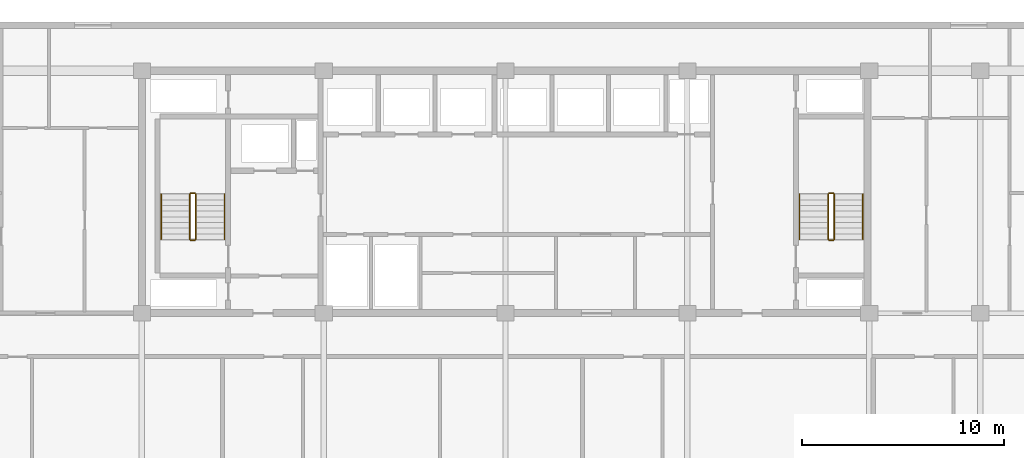
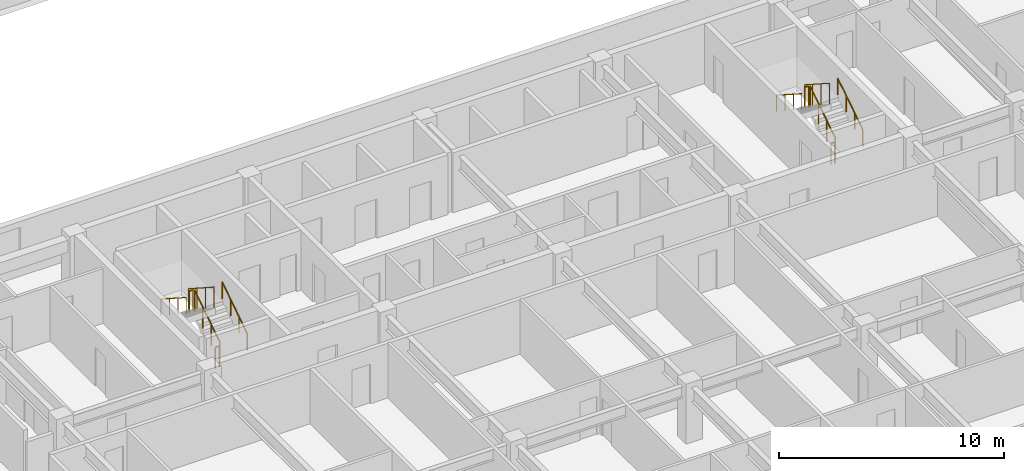
# One storey, part 19 of 22: 12 railings.
"""IFC4 building model written with IfcOpenShell, lengths in metres."""

import ifcopenshell
import ifcopenshell.guid

model = None  # the IFC model being written
_history = None  # IfcOwnerHistory: only IFC2X3 demands one
_inside = {}  # id of a spatial element -> (the spatial element, [elements in it])
_under = {}  # id of a project, library or spatial element -> (it, [spatial elements below it])
_declared = {}  # id of a project -> (the project, [libraries it declares])
_typed = {}  # id of a type object -> (the type object, [elements of that type])
_made_of = {}  # id of a material, layer set ... -> (it, [elements and type objects made of it])


def new_model(schema):
    """Start an empty IFC model of exactly this schema.

    Asked for "IFC4X3", IfcOpenShell would pick the latest addendum, in which some entities
    have other attributes; the version numbers below select the first issue.
    IFC2X3 requires an IfcOwnerHistory on every rooted entity: one is made here for all.
    """
    global model, _history
    if schema == "IFC4X3":
        model = ifcopenshell.file(schema_version=(4, 3, 0, 0))
    else:
        model = ifcopenshell.file(schema=schema)
    _inside.clear()
    _under.clear()
    _declared.clear()
    _typed.clear()
    _made_of.clear()
    _history = None
    if model.schema == "IFC2X3":
        org = make("IfcOrganization", Name="unknown")
        user = make(
            "IfcPersonAndOrganization",
            ThePerson=make("IfcPerson", FamilyName="unknown"),
            TheOrganization=org,
        )
        app = make(
            "IfcApplication",
            ApplicationDeveloper=org,
            Version="unknown",
            ApplicationFullName="unknown",
            ApplicationIdentifier="unknown",
        )
        _history = make(
            "IfcOwnerHistory",
            OwningUser=user,
            OwningApplication=app,
            ChangeAction="ADDED",
            CreationDate=0,
        )
    return model


def make(cls, **values):
    """One entity of the class cls with the attributes given. An attribute that is None is left unset."""
    return model.create_entity(
        cls, **{name: value for name, value in values.items() if value is not None}
    )


def rooted(cls, **values):
    """An entity with a GlobalId (a new one), such as an element, a storey or a relation."""
    return make(cls, GlobalId=ifcopenshell.guid.new(), OwnerHistory=_history, **values)


def si_unit(unit_type, name, prefix=None):
    """IfcSIUnit, for example si_unit("LENGTHUNIT", "METRE", prefix="MILLI")."""
    return make("IfcSIUnit", UnitType=unit_type, Prefix=prefix, Name=name)


def assignment(units):
    """IfcUnitAssignment: the units of a project."""
    return None if units is None else make("IfcUnitAssignment", Units=units)


def point(xyz):
    """IfcCartesianPoint."""
    return None if xyz is None else make("IfcCartesianPoint", Coordinates=xyz)


def direction(xyz):
    """IfcDirection."""
    return None if xyz is None else make("IfcDirection", DirectionRatios=xyz)


def frame(location, z_axis=None, x_axis=None):
    """IfcAxis2Placement3D, a coordinate frame: its origin and axes. An axis left out is left unset."""
    return make(
        "IfcAxis2Placement3D",
        Location=point(location),
        Axis=direction(z_axis),
        RefDirection=direction(x_axis),
    )


def frame_2d(location, x_axis=None):
    """IfcAxis2Placement2D, a coordinate frame in the plane: its origin and x axis."""
    return make(
        "IfcAxis2Placement2D", Location=point(location), RefDirection=direction(x_axis)
    )


def origin():
    """The frame at (0, 0, 0) with its axes left unset."""
    return frame((0.0, 0.0, 0.0))


def origin_2d():
    """The frame at (0, 0) in the plane with its x axis left unset."""
    return frame_2d((0.0, 0.0))


def place(relative_to, where):
    """IfcLocalPlacement: puts the frame where relative to a parent placement (None: the world)."""
    return make(
        "IfcLocalPlacement", PlacementRelTo=relative_to, RelativePlacement=where
    )


def context(
    kind, dimensions, precision=None, world=None, true_north=None, identifier=None
):
    """IfcGeometricRepresentationContext, for example the 3D "Model" context."""
    return make(
        "IfcGeometricRepresentationContext",
        ContextIdentifier=identifier,
        ContextType=kind,
        CoordinateSpaceDimension=dimensions,
        Precision=precision,
        WorldCoordinateSystem=world,
        TrueNorth=true_north,
    )


def subcontext(parent, identifier, kind, view, scale=None):
    """IfcGeometricRepresentationSubContext, for example "Body" below "Model"."""
    return make(
        "IfcGeometricRepresentationSubContext",
        ContextIdentifier=identifier,
        ContextType=kind,
        ParentContext=parent,
        TargetScale=scale,
        TargetView=view,
    )


def project(units=None, contexts=None):
    """IfcProject with its units and contexts."""
    return rooted(
        "IfcProject",
        Name="project",
        RepresentationContexts=contexts,
        UnitsInContext=assignment(units),
    )


def spatial(cls, under=None, at=None, **own):
    """A site, building, storey or space (cls), placed at a placement, below another one or the project."""
    s = rooted(cls, ObjectPlacement=at, **own)
    if under is not None:
        _under.setdefault(under.id(), (under, []))[1].append(s)
    return s


def profile(cls, at=None, kind="AREA", **sizes):
    """A parametric profile (cls). Its sizes go by their IFC names, for example OverallWidth=200.0."""
    return make(cls, ProfileType=kind, Position=at, **sizes)


def circle(**sizes):
    """IfcCircleProfileDef."""
    return profile("IfcCircleProfileDef", **sizes)


def extrude(swept, where, along, depth):
    """IfcExtrudedAreaSolid: the profile swept, set in the frame where, extruded along a direction by depth."""
    return make(
        "IfcExtrudedAreaSolid",
        SweptArea=swept,
        Position=where,
        ExtrudedDirection=direction(along),
        Depth=depth,
    )


def shape(context_of_items, identifier, shape_type, items):
    """IfcShapeRepresentation: the items that make up one representation, for example the "Body"."""
    return make(
        "IfcShapeRepresentation",
        ContextOfItems=context_of_items,
        RepresentationIdentifier=identifier,
        RepresentationType=shape_type,
        Items=items,
    )


def material(Name=None, Category=None):
    """IfcMaterial."""
    return make("IfcMaterial", Name=Name, Category=Category)


def made_of(thing, what):
    """Note that an element or type object is made of a material, layer set ...; save() writes the relation."""
    if what is not None:
        _made_of.setdefault(what.id(), (what, []))[1].append(thing)
    return thing


def type_object(cls, material=None, **own):
    """A type object (cls), such as IfcWallType, which elements share."""
    return made_of(rooted(cls, **own), material)


def element(
    cls,
    number,
    at=None,
    inside=None,
    cuts=None,
    type_object=None,
    material=None,
    context=None,
    identifier="Body",
    shape_type=None,
    held_by="IfcProductDefinitionShape",
    body=None,
    shapes=None,
    **own,
):
    """One element of the class cls, such as IfcWall. Its Tag is "e" and its number.

    at: its placement. inside: the storey or other place that contains it. cuts: it is an
    opening in that element (IfcRelVoidsElement). A single representation is given by context,
    identifier, shape_type and body (its items); several are given by shapes. held_by: the class
    of the entity that holds the representations. save() writes the other relations.
    """
    e = rooted(cls, Tag="e%d" % number, ObjectPlacement=at, **own)
    if body is not None:
        shapes = [shape(context, identifier, shape_type, body)]
    if shapes is not None:
        e.Representation = make(held_by, Representations=shapes)
    if inside is not None:
        _inside.setdefault(inside.id(), (inside, []))[1].append(e)
    if cuts is not None:
        rooted(
            "IfcRelVoidsElement", RelatingBuildingElement=cuts, RelatedOpeningElement=e
        )
    if type_object is not None:
        _typed.setdefault(type_object.id(), (type_object, []))[1].append(e)
    return made_of(e, material)


def aggregate(whole, parts):
    """IfcRelAggregates: a whole, such as a stair, and the parts it consists of."""
    return rooted("IfcRelAggregates", RelatingObject=whole, RelatedObjects=parts)


def save(model, path):
    """Write the relations noted so far, then the file.

    IfcRelAggregates (storeys below a building ...), IfcRelContainedInSpatialStructure (elements
    in a storey), IfcRelDefinesByType, IfcRelAssociatesMaterial and IfcRelDeclares: one each for
    every whole, place, type object, material and project.
    """
    for whole, parts in _under.values():
        aggregate(whole, parts)
    for where, things in _inside.values():
        rooted(
            "IfcRelContainedInSpatialStructure",
            RelatedElements=things,
            RelatingStructure=where,
        )
    for kind, things in _typed.values():
        rooted("IfcRelDefinesByType", RelatedObjects=things, RelatingType=kind)
    for what, things in _made_of.values():
        rooted("IfcRelAssociatesMaterial", RelatedObjects=things, RelatingMaterial=what)
    for by, libraries in _declared.values():
        rooted("IfcRelDeclares", RelatingContext=by, RelatedDefinitions=libraries)
    model.write(path)


model = new_model("IFC4")

# Units and contexts
model_context = context("Model", 3, precision=1e-05, world=origin(), true_north=direction((0.0, 1.0)))
body_context = subcontext(model_context, "Body", "Model", "MODEL_VIEW")
ifc_project = project(units=[si_unit("LENGTHUNIT", "METRE"), si_unit("AREAUNIT", "SQUARE_METRE"), si_unit("VOLUMEUNIT", "CUBIC_METRE"), si_unit("PLANEANGLEUNIT", "RADIAN"), si_unit("MASSUNIT", "GRAM", prefix="KILO")], contexts=[model_context])

# Site, building, storey
site_placement = place(None, origin())
site = spatial("IfcSite", under=ifc_project, at=site_placement, CompositionType="ELEMENT")
building_placement = place(site_placement, origin())
building = spatial("IfcBuilding", under=site, at=building_placement, Name="Korimba Cascade Residences", CompositionType="ELEMENT")
storey_placement = place(building_placement, frame((0.0, 0.0, 80.800048828125)))
storey = spatial("IfcBuildingStorey", under=building, at=storey_placement, Name="L22", CompositionType="ELEMENT", Elevation=80.800048828125)

# Railings
ifc_material_1 = material(Name="Painted Steel Stairwell Guardrail", Category="steel")
railing_type_1 = type_object("IfcRailingType", Name="RLG-ST-GD1150", PredefinedType="GUARDRAIL", material=ifc_material_1)
railing_1_placement = place(storey_placement, frame((84.77001953125, 22.050048828125, 0.180419921875)))
element("IfcRailing", 1, at=railing_1_placement, inside=storey, type_object=railing_type_1, Name="L22 ST-E1 stair guard 1", PredefinedType="GUARDRAIL", context=body_context, shape_type="SweptSolid", body=[
    extrude(circle(Radius=0.02392578125, at=origin_2d()), frame((0.0, 0.0, 1.1259765625), z_axis=(0.0, 0.840394893359, 0.541974559565), x_axis=(-1.0, 0.0, 0.0)), (0.0, 0.0, 1.0), 2.665283203125),
    extrude(circle(Radius=0.02099609375, at=origin_2d()), origin(), (0.0, 0.0, 1.0), 1.101806640625),
    extrude(circle(Radius=0.02099609375, at=origin_2d()), frame((0.0, 0.74658203125, 0.4814453125)), (0.0, 0.0, 1.0), 1.101806640625),
    extrude(circle(Radius=0.02099609375, at=origin_2d()), frame((0.0, 1.493408203125, 0.963134765625)), (0.0, 0.0, 1.0), 1.101806640625),
    extrude(circle(Radius=0.02099609375, at=origin_2d()), frame((0.0, 2.239990234375, 1.444580078125)), (0.0, 0.0, 1.0), 1.101806640625),
])
railing_2_placement = place(storey_placement, frame((84.719970703125, 24.340087890625, 1.625)))
element("IfcRailing", 2, at=railing_2_placement, inside=storey, type_object=railing_type_1, Name="L22 ST-E1 stair guard 2", PredefinedType="GUARDRAIL", context=body_context, shape_type="SweptSolid", body=[
    extrude(circle(Radius=0.02392578125, at=origin_2d()), frame((0.0, 0.0, 1.1259765625), z_axis=(-1.0, 0.0, 0.0), x_axis=(0.0, -1.0, 0.0)), (0.0, 0.0, 1.0), 0.199951171875),
    extrude(circle(Radius=0.02099609375, at=origin_2d()), origin(), (0.0, 0.0, 1.0), 1.101806640625),
    extrude(circle(Radius=0.02099609375, at=origin_2d()), frame((-0.199951171875, 0.0, 0.0)), (0.0, 0.0, 1.0), 1.101806640625),
])
railing_3_placement = place(storey_placement, frame((84.469970703125, 24.2900390625, 1.805419921875)))
element("IfcRailing", 3, at=railing_3_placement, inside=storey, type_object=railing_type_1, Name="L22 ST-E1 stair guard 3", PredefinedType="GUARDRAIL", context=body_context, shape_type="SweptSolid", body=[
    extrude(circle(Radius=0.02392578125, at=origin_2d()), frame((0.0, 0.0, 1.1259765625), z_axis=(0.0, -0.840394893359, 0.541974559565), x_axis=(1.0, 0.0, 0.0)), (0.0, 0.0, 1.0), 2.665283203125),
    extrude(circle(Radius=0.02099609375, at=origin_2d()), origin(), (0.0, 0.0, 1.0), 1.101806640625),
    extrude(circle(Radius=0.02099609375, at=origin_2d()), frame((0.0, -0.74658203125, 0.4814453125)), (0.0, 0.0, 1.0), 1.101806640625),
    extrude(circle(Radius=0.02099609375, at=origin_2d()), frame((0.0, -1.493408203125, 0.963134765625)), (0.0, 0.0, 1.0), 1.101806640625),
    extrude(circle(Radius=0.02099609375, at=origin_2d()), frame((0.0, -2.239990234375, 1.444580078125)), (0.0, 0.0, 1.0), 1.101806640625),
])
railing_4_placement = place(storey_placement, frame((84.719970703125, 22.0, 0.0)))
element("IfcRailing", 4, at=railing_4_placement, inside=storey, type_object=railing_type_1, Name="L22 ST-E1 stair guard 4", PredefinedType="GUARDRAIL", context=body_context, shape_type="SweptSolid", body=[
    extrude(circle(Radius=0.02392578125, at=origin_2d()), frame((0.0, 0.0, 1.1259765625), z_axis=(-1.0, 0.0, 0.0), x_axis=(0.0, -1.0, 0.0)), (0.0, 0.0, 1.0), 0.199951171875),
    extrude(circle(Radius=0.02099609375, at=origin_2d()), origin(), (0.0, 0.0, 1.0), 1.101806640625),
    extrude(circle(Radius=0.02099609375, at=origin_2d()), frame((-0.199951171875, 0.0, 0.0)), (0.0, 0.0, 1.0), 1.101806640625),
])
railing_5_placement = place(storey_placement, frame((116.3701171875, 22.050048828125, 0.180419921875)))
element("IfcRailing", 5, at=railing_5_placement, inside=storey, type_object=railing_type_1, Name="L22 ST-E2 stair guard 1", PredefinedType="GUARDRAIL", context=body_context, shape_type="SweptSolid", body=[
    extrude(circle(Radius=0.02392578125, at=origin_2d()), frame((0.0, 0.0, 1.1259765625), z_axis=(0.0, 0.840394893359, 0.541974559565), x_axis=(-1.0, 0.0, 0.0)), (0.0, 0.0, 1.0), 2.665283203125),
    extrude(circle(Radius=0.02099609375, at=origin_2d()), origin(), (0.0, 0.0, 1.0), 1.101806640625),
    extrude(circle(Radius=0.02099609375, at=origin_2d()), frame((0.0, 0.74658203125, 0.4814453125)), (0.0, 0.0, 1.0), 1.101806640625),
    extrude(circle(Radius=0.02099609375, at=origin_2d()), frame((0.0, 1.493408203125, 0.963134765625)), (0.0, 0.0, 1.0), 1.101806640625),
    extrude(circle(Radius=0.02099609375, at=origin_2d()), frame((0.0, 2.239990234375, 1.444580078125)), (0.0, 0.0, 1.0), 1.101806640625),
])
railing_6_placement = place(storey_placement, frame((116.320068359375, 24.340087890625, 1.625)))
element("IfcRailing", 6, at=railing_6_placement, inside=storey, type_object=railing_type_1, Name="L22 ST-E2 stair guard 2", PredefinedType="GUARDRAIL", context=body_context, shape_type="SweptSolid", body=[
    extrude(circle(Radius=0.02392578125, at=origin_2d()), frame((0.0, 0.0, 1.1259765625), z_axis=(-1.0, 0.0, 0.0), x_axis=(0.0, -1.0, 0.0)), (0.0, 0.0, 1.0), 0.199951171875),
    extrude(circle(Radius=0.02099609375, at=origin_2d()), origin(), (0.0, 0.0, 1.0), 1.101806640625),
    extrude(circle(Radius=0.02099609375, at=origin_2d()), frame((-0.199951171875, 0.0, 0.0)), (0.0, 0.0, 1.0), 1.101806640625),
])
railing_7_placement = place(storey_placement, frame((116.070068359375, 24.2900390625, 1.805419921875)))
element("IfcRailing", 7, at=railing_7_placement, inside=storey, type_object=railing_type_1, Name="L22 ST-E2 stair guard 3", PredefinedType="GUARDRAIL", context=body_context, shape_type="SweptSolid", body=[
    extrude(circle(Radius=0.02392578125, at=origin_2d()), frame((0.0, 0.0, 1.1259765625), z_axis=(0.0, -0.840394893359, 0.541974559565), x_axis=(1.0, 0.0, 0.0)), (0.0, 0.0, 1.0), 2.665283203125),
    extrude(circle(Radius=0.02099609375, at=origin_2d()), origin(), (0.0, 0.0, 1.0), 1.101806640625),
    extrude(circle(Radius=0.02099609375, at=origin_2d()), frame((0.0, -0.74658203125, 0.4814453125)), (0.0, 0.0, 1.0), 1.101806640625),
    extrude(circle(Radius=0.02099609375, at=origin_2d()), frame((0.0, -1.493408203125, 0.963134765625)), (0.0, 0.0, 1.0), 1.101806640625),
    extrude(circle(Radius=0.02099609375, at=origin_2d()), frame((0.0, -2.239990234375, 1.444580078125)), (0.0, 0.0, 1.0), 1.101806640625),
])
railing_8_placement = place(storey_placement, frame((116.320068359375, 22.0, 0.0)))
element("IfcRailing", 8, at=railing_8_placement, inside=storey, type_object=railing_type_1, Name="L22 ST-E2 stair guard 4", PredefinedType="GUARDRAIL", context=body_context, shape_type="SweptSolid", body=[
    extrude(circle(Radius=0.02392578125, at=origin_2d()), frame((0.0, 0.0, 1.1259765625), z_axis=(-1.0, 0.0, 0.0), x_axis=(0.0, -1.0, 0.0)), (0.0, 0.0, 1.0), 0.199951171875),
    extrude(circle(Radius=0.02099609375, at=origin_2d()), origin(), (0.0, 0.0, 1.0), 1.101806640625),
    extrude(circle(Radius=0.02099609375, at=origin_2d()), frame((-0.199951171875, 0.0, 0.0)), (0.0, 0.0, 1.0), 1.101806640625),
])
ifc_material_2 = material(Name="Brushed Stainless Steel Handrail", Category="steel")
railing_type_2 = type_object("IfcRailingType", Name="RLG-ST-HR900", PredefinedType="HANDRAIL", material=ifc_material_2)
railing_9_placement = place(storey_placement, frame((86.18994140625, 22.050048828125, 0.364990234375)))
element("IfcRailing", 9, at=railing_9_placement, inside=storey, type_object=railing_type_2, Name="L22 ST-E1 stair handrail 1", PredefinedType="HANDRAIL", context=body_context, shape_type="SweptSolid", body=[
    extrude(circle(Radius=0.02392578125, at=origin_2d()), frame((0.0, 0.0, 0.8759765625), z_axis=(0.0, 0.840436612492, 0.541909863706), x_axis=(-1.0, 0.0, 0.0)), (0.0, 0.0, 1.0), 2.665283203125),
    extrude(circle(Radius=0.02099609375, at=origin_2d()), origin(), (0.0, 0.0, 1.0), 0.851806640625),
    extrude(circle(Radius=0.02099609375, at=origin_2d()), frame((0.0, 0.74658203125, 0.4814453125)), (0.0, 0.0, 1.0), 0.851806640625),
    extrude(circle(Radius=0.02099609375, at=origin_2d()), frame((0.0, 1.493408203125, 0.962890625)), (0.0, 0.0, 1.0), 0.851806640625),
    extrude(circle(Radius=0.02099609375, at=origin_2d()), frame((0.0, 2.239990234375, 1.4443359375)), (0.0, 0.0, 1.0), 0.851806640625),
])
railing_10_placement = place(storey_placement, frame((83.050048828125, 24.2900390625, 1.989990234375)))
element("IfcRailing", 10, at=railing_10_placement, inside=storey, type_object=railing_type_2, Name="L22 ST-E1 stair handrail 2", PredefinedType="HANDRAIL", context=body_context, shape_type="SweptSolid", body=[
    extrude(circle(Radius=0.02392578125, at=origin_2d()), frame((0.0, 0.0, 0.8759765625), z_axis=(0.0, -0.840436612492, 0.541909863706), x_axis=(1.0, 0.0, 0.0)), (0.0, 0.0, 1.0), 2.665283203125),
    extrude(circle(Radius=0.02099609375, at=origin_2d()), origin(), (0.0, 0.0, 1.0), 0.851806640625),
    extrude(circle(Radius=0.02099609375, at=origin_2d()), frame((0.0, -0.74658203125, 0.4814453125)), (0.0, 0.0, 1.0), 0.851806640625),
    extrude(circle(Radius=0.02099609375, at=origin_2d()), frame((0.0, -1.493408203125, 0.962890625)), (0.0, 0.0, 1.0), 0.851806640625),
    extrude(circle(Radius=0.02099609375, at=origin_2d()), frame((0.0, -2.239990234375, 1.4443359375)), (0.0, 0.0, 1.0), 0.851806640625),
])
railing_11_placement = place(storey_placement, frame((117.7900390625, 22.050048828125, 0.364990234375)))
element("IfcRailing", 11, at=railing_11_placement, inside=storey, type_object=railing_type_2, Name="L22 ST-E2 stair handrail 1", PredefinedType="HANDRAIL", context=body_context, shape_type="SweptSolid", body=[
    extrude(circle(Radius=0.02392578125, at=origin_2d()), frame((0.0, 0.0, 0.8759765625), z_axis=(0.0, 0.840436612492, 0.541909863706), x_axis=(-1.0, 0.0, 0.0)), (0.0, 0.0, 1.0), 2.665283203125),
    extrude(circle(Radius=0.02099609375, at=origin_2d()), origin(), (0.0, 0.0, 1.0), 0.851806640625),
    extrude(circle(Radius=0.02099609375, at=origin_2d()), frame((0.0, 0.74658203125, 0.4814453125)), (0.0, 0.0, 1.0), 0.851806640625),
    extrude(circle(Radius=0.02099609375, at=origin_2d()), frame((0.0, 1.493408203125, 0.962890625)), (0.0, 0.0, 1.0), 0.851806640625),
    extrude(circle(Radius=0.02099609375, at=origin_2d()), frame((0.0, 2.239990234375, 1.4443359375)), (0.0, 0.0, 1.0), 0.851806640625),
])
railing_12_placement = place(storey_placement, frame((114.64990234375, 24.2900390625, 1.989990234375)))
element("IfcRailing", 12, at=railing_12_placement, inside=storey, type_object=railing_type_2, Name="L22 ST-E2 stair handrail 2", PredefinedType="HANDRAIL", context=body_context, shape_type="SweptSolid", body=[
    extrude(circle(Radius=0.02392578125, at=origin_2d()), frame((0.0, 0.0, 0.8759765625), z_axis=(0.0, -0.840436612492, 0.541909863706), x_axis=(1.0, 0.0, 0.0)), (0.0, 0.0, 1.0), 2.665283203125),
    extrude(circle(Radius=0.02099609375, at=origin_2d()), origin(), (0.0, 0.0, 1.0), 0.851806640625),
    extrude(circle(Radius=0.02099609375, at=origin_2d()), frame((0.0, -0.74658203125, 0.4814453125)), (0.0, 0.0, 1.0), 0.851806640625),
    extrude(circle(Radius=0.02099609375, at=origin_2d()), frame((0.0, -1.493408203125, 0.962890625)), (0.0, 0.0, 1.0), 0.851806640625),
    extrude(circle(Radius=0.02099609375, at=origin_2d()), frame((0.0, -2.239990234375, 1.4443359375)), (0.0, 0.0, 1.0), 0.851806640625),
])

save(model, "model.ifc")
